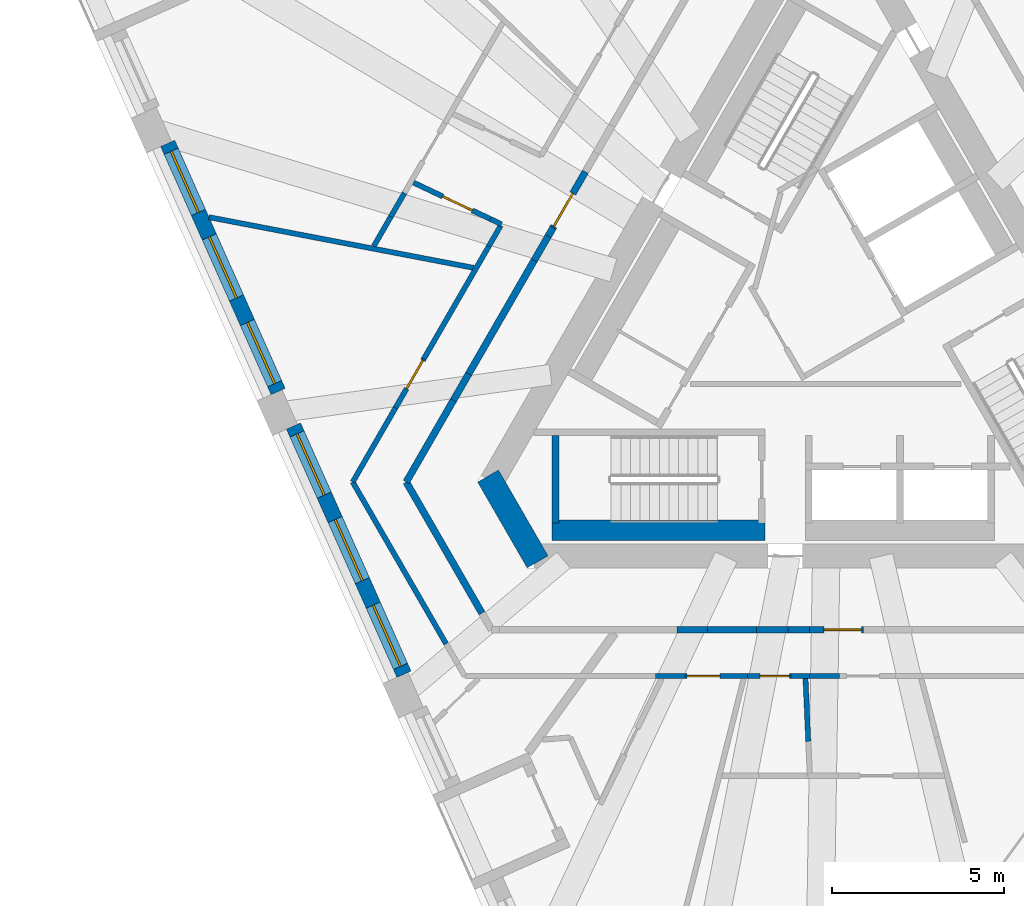
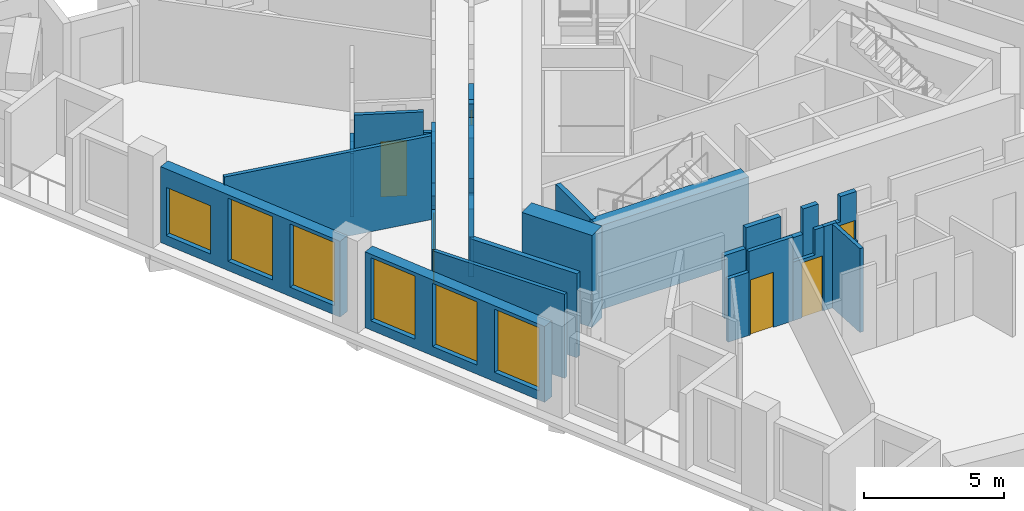
# One storey, part 3 of 11: 33 walls, 6 doors, 6 windows, 12 openings.
"""IFC4 building model written with IfcOpenShell, lengths in metres."""

from ifc_helpers import new_model, si_unit, direction, frame, frame_2d, origin, place, context, subcontext, project, spatial, polyline, rectangle, outline, extrude, material, layer, layer_set, type_object, element, fill, save


model = new_model("IFC4")

# Units and contexts
model_context = context("Model", 3, precision=1e-05, world=origin(), true_north=direction((0.0, 1.0)))
body_context = subcontext(model_context, "Body", "Model", "MODEL_VIEW")
ifc_project = project(units=[si_unit("LENGTHUNIT", "METRE"), si_unit("AREAUNIT", "SQUARE_METRE"), si_unit("VOLUMEUNIT", "CUBIC_METRE"), si_unit("PLANEANGLEUNIT", "RADIAN"), si_unit("MASSUNIT", "GRAM", prefix="KILO")], contexts=[model_context])

# Site, building, storey
site_placement = place(None, origin())
site = spatial("IfcSite", under=ifc_project, at=site_placement, CompositionType="ELEMENT")
building_placement = place(site_placement, origin())
building = spatial("IfcBuilding", under=site, at=building_placement, Name="Tramontana Tower", CompositionType="ELEMENT")
storey_placement = place(building_placement, frame((0.0, 0.0, 257.199951171875)))
storey = spatial("IfcBuildingStorey", under=building, at=storey_placement, Name="L60", CompositionType="ELEMENT", Elevation=257.199951171875)

# Wall
ifc_material_1 = material(Name="Concrete 70 MPa", Category="concrete")
ifc_layer_1 = layer(ifc_material_1, 0.699951171875)
ifc_layer_set_1 = layer_set([ifc_layer_1], Name="Core wall 700 70 MPa")
wall_type_1 = type_object("IfcWallType", Name="Core wall 700 70 MPa", PredefinedType="SHEAR", material=ifc_layer_set_1)
wall_1_placement = place(storey_placement, frame((-9.94482421875, -4.074951171875, 0.0), z_axis=(0.0, 0.0, 1.0), x_axis=(0.499995765644, -0.866027848477, 0.0)))
element("IfcWall", 1, at=wall_1_placement, inside=storey, type_object=wall_type_1, Name="Core wall C2 L60", PredefinedType="SHEAR", context=body_context, shape_type="SweptSolid", body=[
    extrude(rectangle(XDim=2.88671875, YDim=0.699951171875, at=frame_2d((1.443359375, 0.0))), origin(), (0.0, 0.0, 1.0), 4.0),
])

# Wall, opening, door
ifc_material_2 = material(Name="Blockwork", Category="masonry")
ifc_layer_2 = layer(ifc_material_2, 0.199951171875)
ifc_layer_set_2 = layer_set([ifc_layer_2], Name="ENTRY WALL 200")
wall_type_2 = type_object("IfcWallType", Name="ENTRY WALL 200", PredefinedType="SOLIDWALL", material=ifc_layer_set_2)
wall_2_placement = place(storey_placement, frame((0.98046875, -8.550048828125, 0.0), z_axis=(0.0, 0.0, 1.0), x_axis=(-1.0, 0.0, 0.0)))
wall_2 = element("IfcWall", 2, at=wall_2_placement, inside=storey, type_object=wall_type_2, Name="Wall v61-ew1-5", PredefinedType="SOLIDWALL", context=body_context, shape_type="SweptSolid", body=[
    extrude(outline(polyline([(0.0, 0.0), (1.565673828125, 0.0), (1.56591796875, 2.550048828125), (0.665771484375, 2.550048828125), (0.665771484375, 3.650146484375), (0.0, 3.650146484375), (0.0, 0.0)])), frame((0.0, 0.10009765625, 0.0), z_axis=(0.0, -1.0, 0.0), x_axis=(1.0, 0.0, 0.0)), (0.0, 0.0, 1.0), 0.199951171875),
])
opening_1_placement = place(wall_2_placement, frame((0.050048828125, 0.0, 0.0)))
opening_1 = element("IfcOpeningElement", 3, at=opening_1_placement, cuts=wall_2, Name="Opening B6B-22", PredefinedType="OPENING", context=body_context, shape_type="SweptSolid", body=[
    extrude(rectangle(XDim=1.10009765625, YDim=2.39990234375, at=frame_2d((0.550048828125, 1.199951171875))), frame((0.0, 0.10986328125, 0.0), z_axis=(0.0, -1.0, 0.0), x_axis=(1.0, 0.0, 0.0)), (0.0, 0.0, 1.0), 0.219970703125),
])
ifc_material_3 = material(Name="Painted timber", Category="wood")
door_type_1 = type_object("IfcDoorType", Name="DOOR ENTRY 1100", OperationType="SINGLE_SWING_LEFT", PredefinedType="DOOR", material=ifc_material_3)
door_1_placement = place(opening_1_placement, origin())
door_1 = element("IfcDoor", 4, at=door_1_placement, inside=storey, type_object=door_type_1, Name="Door B6B-22", OperationType="SINGLE_SWING_RIGHT", OverallHeight=2.39990234375, OverallWidth=1.10009765625, PredefinedType="DOOR", context=body_context, shape_type="SweptSolid", body=[
    extrude(rectangle(XDim=1.10009765625, YDim=2.39990234375, at=frame_2d((0.550048828125, 1.199951171875))), frame((0.0, 0.02490234375, 0.0), z_axis=(0.0, -1.0, 0.0), x_axis=(1.0, 0.0, 0.0)), (0.0, 0.0, 1.0), 0.050048828125),
])
fill(opening_1, door_1)

# Walls
wall_3_placement = place(storey_placement, frame((-0.585205078125, -8.550048828125, 0.0), z_axis=(0.0, 0.0, 1.0), x_axis=(-1.0, 0.0, 0.0)))
element("IfcWall", 5, at=wall_3_placement, inside=storey, type_object=wall_type_2, Name="Wall v61-ew1-6", PredefinedType="SOLIDWALL", context=body_context, shape_type="SweptSolid", body=[
    extrude(rectangle(XDim=0.6328125, YDim=0.199951171875, at=frame_2d((0.31640625, 0.0))), origin(), (0.0, 0.0, 1.0), 3.650146484375),
])
wall_4_placement = place(storey_placement, frame((-1.218017578125, -8.550048828125, 0.0), z_axis=(0.0, 0.0, 1.0), x_axis=(-1.0, 0.0, 0.0)))
element("IfcWall", 6, at=wall_4_placement, inside=storey, type_object=wall_type_2, Name="Wall v61-ew1-7", PredefinedType="SOLIDWALL", context=body_context, shape_type="SweptSolid", body=[
    extrude(rectangle(XDim=0.9169921875, YDim=0.199951171875, at=frame_2d((0.45849609375, 0.0))), origin(), (0.0, 0.0, 1.0), 2.550048828125),
])
wall_5_placement = place(storey_placement, frame((-2.135009765625, -8.550048828125, 0.0), z_axis=(0.0, 0.0, 1.0), x_axis=(-1.0, 0.0, 0.0)))
element("IfcWall", 7, at=wall_5_placement, inside=storey, type_object=wall_type_2, Name="Wall v61-ew1-8", PredefinedType="SOLIDWALL", context=body_context, shape_type="SweptSolid", body=[
    extrude(rectangle(XDim=1.4296875, YDim=0.199951171875, at=frame_2d((0.71484375, 0.0))), origin(), (0.0, 0.0, 1.0), 3.650146484375),
])
wall_6_placement = place(storey_placement, frame((-3.564697265625, -8.550048828125, 0.0), z_axis=(0.0, 0.0, 1.0), x_axis=(-1.0, 0.0, 0.0)))
element("IfcWall", 8, at=wall_6_placement, inside=storey, type_object=wall_type_2, Name="Wall v61-ew1-9", PredefinedType="SOLIDWALL", context=body_context, shape_type="SweptSolid", body=[
    extrude(rectangle(XDim=0.88330078125, YDim=0.199951171875, at=frame_2d((0.441650390625, 0.0))), origin(), (0.0, 0.0, 1.0), 2.75),
])
wall_7_placement = place(storey_placement, frame((-10.12255859375, -8.067138671875, 0.0), z_axis=(0.0, 0.0, 1.0), x_axis=(-0.500005339912, 0.866022320763, 0.0)))
element("IfcWall", 9, at=wall_7_placement, inside=storey, type_object=wall_type_2, Name="Wall v61-ew2-1", PredefinedType="SOLIDWALL", context=body_context, shape_type="SweptSolid", body=[
    extrude(rectangle(XDim=4.40771484375, YDim=0.199951171875, at=frame_2d((2.203857421875, 0.0))), origin(), (0.0, 0.0, 1.0), 3.650146484375),
])
wall_8_placement = place(storey_placement, frame((-12.326416015625, -4.25, 0.0), z_axis=(0.0, 0.0, 1.0), x_axis=(0.499994514761, 0.866028570666, 0.0)))
element("IfcWall", 10, at=wall_8_placement, inside=storey, type_object=wall_type_2, Name="Wall v61-ew3-0", PredefinedType="SOLIDWALL", context=body_context, shape_type="SweptSolid", body=[
    extrude(rectangle(XDim=2.74462890625, YDim=0.199951171875, at=frame_2d((1.372314453125, 0.0))), origin(), (0.0, 0.0, 1.0), 3.650146484375),
])
wall_9_placement = place(storey_placement, frame((-10.9541015625, -1.873046875, 0.0), z_axis=(0.0, 0.0, 1.0), x_axis=(0.500016243463, 0.866016025414, 0.0)))
element("IfcWall", 11, at=wall_9_placement, inside=storey, type_object=wall_type_2, Name="Wall v61-ew3-1", PredefinedType="SOLIDWALL", context=body_context, shape_type="SweptSolid", body=[
    extrude(rectangle(XDim=0.88720703125, YDim=0.199951171875, at=frame_2d((0.443603515625, 0.0))), origin(), (0.0, 0.0, 1.0), 2.949951171875),
])
wall_10_placement = place(storey_placement, frame((-10.510498046875, -1.104736328125, 0.0), z_axis=(0.0, 0.0, 1.0), x_axis=(0.499997905474, 0.866026613056, 0.0)))
element("IfcWall", 12, at=wall_10_placement, inside=storey, type_object=wall_type_2, Name="Wall v61-ew3-2", PredefinedType="SOLIDWALL", context=body_context, shape_type="SweptSolid", body=[
    extrude(rectangle(XDim=3.810546875, YDim=0.199951171875, at=frame_2d((1.9052734375, 0.0))), origin(), (0.0, 0.0, 1.0), 3.650146484375),
])
wall_11_placement = place(storey_placement, frame((-8.605224609375, 2.1953125, 0.0), z_axis=(0.0, 0.0, 1.0), x_axis=(0.499911126926, 0.866076708598, 0.0)))
element("IfcWall", 13, at=wall_11_placement, inside=storey, type_object=wall_type_2, Name="Wall v61-ew3-3", PredefinedType="SOLIDWALL", context=body_context, shape_type="SweptSolid", body=[
    extrude(rectangle(XDim=0.821533203125, YDim=0.199951171875, at=frame_2d((0.41064453125, 0.0))), origin(), (0.0, 0.0, 1.0), 2.75),
])
wall_12_placement = place(storey_placement, frame((-8.194580078125, 2.90673828125, 0.0), z_axis=(0.0, 0.0, 1.0), x_axis=(0.500220121494, 0.865898279276, 0.0)))
element("IfcWall", 14, at=wall_12_placement, inside=storey, type_object=wall_type_2, Name="Wall v61-ew3-4", PredefinedType="SOLIDWALL", context=body_context, shape_type="SweptSolid", body=[
    extrude(rectangle(XDim=0.282958984375, YDim=0.199951171875, at=frame_2d((0.1416015625, 0.0))), origin(), (0.0, 0.0, 1.0), 3.650146484375),
])

# Wall, opening, door
wall_13_placement = place(storey_placement, frame((-8.052978515625, 3.15185546875, 0.0), z_axis=(0.0, 0.0, 1.0), x_axis=(0.500059305753, 0.865991160884, 0.0)))
wall_13 = element("IfcWall", 15, at=wall_13_placement, inside=storey, type_object=wall_type_2, Name="Wall v61-ew3-5", PredefinedType="SOLIDWALL", context=body_context, shape_type="SweptSolid", body=[
    extrude(outline(polyline([(0.0, 0.0), (1.882080078125, 0.0), (1.882080078125, 2.550048828125), (0.982177734375, 2.550048828125), (0.982177734375, 3.650146484375), (0.0, 3.650146484375), (0.0, 0.0)])), frame((0.0, 0.10009765625, 0.0), z_axis=(0.0, -1.0, 0.0), x_axis=(1.0, 0.0, 0.0)), (0.0, 0.0, 1.0), 0.199951171875),
])
opening_2_placement = place(wall_13_placement, frame((0.050048828125, 0.0, 0.0)))
opening_2 = element("IfcOpeningElement", 16, at=opening_2_placement, cuts=wall_13, Name="Opening B6B-21", PredefinedType="OPENING", context=body_context, shape_type="SweptSolid", body=[
    extrude(rectangle(XDim=1.10009765625, YDim=2.39990234375, at=frame_2d((0.550048828125, 1.199951171875))), frame((0.0, 0.10986328125, 0.0), z_axis=(0.0, -1.0, 0.0), x_axis=(1.0, 0.0, 0.0)), (0.0, 0.0, 1.0), 0.219970703125),
])
door_2_placement = place(opening_2_placement, origin())
door_2 = element("IfcDoor", 17, at=door_2_placement, inside=storey, type_object=door_type_1, Name="Door B6B-21", OperationType="SINGLE_SWING_LEFT", OverallHeight=2.39990234375, OverallWidth=1.10009765625, PredefinedType="DOOR", context=body_context, shape_type="SweptSolid", body=[
    extrude(rectangle(XDim=1.10009765625, YDim=2.39990234375, at=frame_2d((0.550048828125, 1.199951171875))), frame((0.0, 0.02490234375, 0.0), z_axis=(0.0, -1.0, 0.0), x_axis=(1.0, 0.0, 0.0)), (0.0, 0.0, 1.0), 0.050048828125),
])
fill(opening_2, door_2)

# Wall, openings, windows
ifc_material_4 = material(Name="Precast concrete 60 MPa", Category="concrete")
ifc_layer_3 = layer(ifc_material_4, 0.449951171875)
ifc_layer_set_3 = layer_set([ifc_layer_3], Name="Precast concrete 60 MPa, 450 mm")
wall_type_3 = type_object("IfcWallType", Name="EW1 Stone-faced precast wall 450", PredefinedType="SOLIDWALL", material=ifc_layer_set_3)
wall_14_placement = place(storey_placement, frame((-19.271484375, 5.606201171875, 0.0), z_axis=(0.0, 0.0, 1.0), x_axis=(0.406760076741, -0.913535023942, 0.0)))
wall_14 = element("IfcWall", 18, at=wall_14_placement, inside=storey, type_object=wall_type_3, Name="External wall L60 face 0 bay 2", PredefinedType="SOLIDWALL", context=body_context, shape_type="SweptSolid", body=[
    extrude(rectangle(XDim=7.906494140625, YDim=0.449951171875, at=frame_2d((3.953125, 0.0))), origin(), (0.0, 0.0, 1.0), 3.300048828125),
])
opening_3_placement = place(wall_14_placement, frame((0.251220703125, 0.0, 0.39990234375)))
opening_3 = element("IfcOpeningElement", 19, at=opening_3_placement, cuts=wall_14, Name="Opening M3L", PredefinedType="OPENING", context=body_context, shape_type="SweptSolid", body=[
    extrude(rectangle(XDim=1.949951171875, YDim=2.10009765625, at=frame_2d((0.97509765625, 1.050048828125))), frame((0.0, 0.23486328125, 0.0), z_axis=(0.0, -1.0, 0.0), x_axis=(1.0, 0.0, 0.0)), (0.0, 0.0, 1.0), 0.469970703125),
])
opening_4_placement = place(wall_14_placement, frame((2.978271484375, 0.0, 0.39990234375)))
opening_4 = element("IfcOpeningElement", 20, at=opening_4_placement, cuts=wall_14, Name="Opening M3", PredefinedType="OPENING", context=body_context, shape_type="SweptSolid", body=[
    extrude(rectangle(XDim=1.949951171875, YDim=2.75, at=frame_2d((0.97509765625, 1.375))), frame((0.0, 0.23486328125, 0.0), z_axis=(0.0, -1.0, 0.0), x_axis=(1.0, 0.0, 0.0)), (0.0, 0.0, 1.0), 0.469970703125),
])
opening_5_placement = place(wall_14_placement, frame((5.70556640625, 0.0, 0.39990234375)))
opening_5 = element("IfcOpeningElement", 21, at=opening_5_placement, cuts=wall_14, Name="Opening M3", PredefinedType="OPENING", context=body_context, shape_type="SweptSolid", body=[
    extrude(rectangle(XDim=1.949951171875, YDim=2.75, at=frame_2d((0.97509765625, 1.375))), frame((0.0, 0.23486328125, 0.0), z_axis=(0.0, -1.0, 0.0), x_axis=(1.0, 0.0, 0.0)), (0.0, 0.0, 1.0), 0.469970703125),
])
ifc_material_5 = material(Name="Aluminum frame, double glazing unit", Category="aluminium")
window_type_1 = type_object("IfcWindowType", Name="M3 Window 1.95 x 2.75", PartitioningType="SINGLE_PANEL", PredefinedType="WINDOW", material=ifc_material_5)
window_1_placement = place(opening_4_placement, origin())
window_1 = element("IfcWindow", 22, at=window_1_placement, inside=storey, type_object=window_type_1, Name="Window M3 L60 face 0 module 5", OverallHeight=2.75, OverallWidth=1.949951171875, PartitioningType="SINGLE_PANEL", PredefinedType="WINDOW", context=body_context, shape_type="SweptSolid", body=[
    extrude(rectangle(XDim=1.949951171875, YDim=2.75, at=frame_2d((0.97509765625, 1.375))), frame((0.0, 0.030029296875, 0.0), z_axis=(0.0, -1.0, 0.0), x_axis=(1.0, 0.0, 0.0)), (0.0, 0.0, 1.0), 0.06005859375),
])
fill(opening_4, window_1)
window_2_placement = place(opening_5_placement, origin())
window_2 = element("IfcWindow", 23, at=window_2_placement, inside=storey, type_object=window_type_1, Name="Window M3 L60 face 0 module 6", OverallHeight=2.75, OverallWidth=1.949951171875, PartitioningType="SINGLE_PANEL", PredefinedType="WINDOW", context=body_context, shape_type="SweptSolid", body=[
    extrude(rectangle(XDim=1.949951171875, YDim=2.75, at=frame_2d((0.97509765625, 1.375))), frame((0.0, 0.030029296875, 0.0), z_axis=(0.0, -1.0, 0.0), x_axis=(1.0, 0.0, 0.0)), (0.0, 0.0, 1.0), 0.06005859375),
])
fill(opening_5, window_2)
ifc_material_6 = material(Name="Aluminum frame, double glazing unit", Category="aluminium")
window_type_2 = type_object("IfcWindowType", Name="M3L Window 1.95 x 2.1", PartitioningType="SINGLE_PANEL", PredefinedType="WINDOW", material=ifc_material_6)
window_3_placement = place(opening_3_placement, origin())
window_3 = element("IfcWindow", 24, at=window_3_placement, inside=storey, type_object=window_type_2, Name="Window M3L L60 face 0 module 4", OverallHeight=2.10009765625, OverallWidth=1.949951171875, PartitioningType="SINGLE_PANEL", PredefinedType="WINDOW", context=body_context, shape_type="SweptSolid", body=[
    extrude(rectangle(XDim=1.949951171875, YDim=2.10009765625, at=frame_2d((0.97509765625, 1.050048828125))), frame((0.0, 0.030029296875, 0.0), z_axis=(0.0, -1.0, 0.0), x_axis=(1.0, 0.0, 0.0)), (0.0, 0.0, 1.0), 0.06005859375),
])
fill(opening_3, window_3)

wall_15_placement = place(storey_placement, frame((-15.608154296875, -2.62158203125, 0.0), z_axis=(0.0, 0.0, 1.0), x_axis=(0.406748602972, -0.91354013266, 0.0)))
wall_15 = element("IfcWall", 25, at=wall_15_placement, inside=storey, type_object=wall_type_3, Name="External wall L60 face 0 bay 3", PredefinedType="SOLIDWALL", context=body_context, shape_type="SweptSolid", body=[
    extrude(rectangle(XDim=7.90673828125, YDim=0.449951171875, at=frame_2d((3.953369140625, 0.0))), origin(), (0.0, 0.0, 1.0), 3.300048828125),
])
opening_6_placement = place(wall_15_placement, frame((0.251220703125, 0.0, 0.39990234375)))
opening_6 = element("IfcOpeningElement", 26, at=opening_6_placement, cuts=wall_15, Name="Opening M3", PredefinedType="OPENING", context=body_context, shape_type="SweptSolid", body=[
    extrude(rectangle(XDim=1.949951171875, YDim=2.75, at=frame_2d((0.97509765625, 1.375))), frame((0.0, 0.23486328125, 0.0), z_axis=(0.0, -1.0, 0.0), x_axis=(1.0, 0.0, 0.0)), (0.0, 0.0, 1.0), 0.469970703125),
])
opening_7_placement = place(wall_15_placement, frame((2.978271484375, 0.0, 0.39990234375)))
opening_7 = element("IfcOpeningElement", 27, at=opening_7_placement, cuts=wall_15, Name="Opening M3", PredefinedType="OPENING", context=body_context, shape_type="SweptSolid", body=[
    extrude(rectangle(XDim=1.949951171875, YDim=2.75, at=frame_2d((0.97509765625, 1.375))), frame((0.0, 0.23486328125, 0.0), z_axis=(0.0, -1.0, 0.0), x_axis=(1.0, 0.0, 0.0)), (0.0, 0.0, 1.0), 0.469970703125),
])
opening_8_placement = place(wall_15_placement, frame((5.70556640625, 0.0, 0.39990234375)))
opening_8 = element("IfcOpeningElement", 28, at=opening_8_placement, cuts=wall_15, Name="Opening M3", PredefinedType="OPENING", context=body_context, shape_type="SweptSolid", body=[
    extrude(rectangle(XDim=1.949951171875, YDim=2.75, at=frame_2d((0.97509765625, 1.375))), frame((0.0, 0.23486328125, 0.0), z_axis=(0.0, -1.0, 0.0), x_axis=(1.0, 0.0, 0.0)), (0.0, 0.0, 1.0), 0.469970703125),
])
window_4_placement = place(opening_6_placement, origin())
window_4 = element("IfcWindow", 29, at=window_4_placement, inside=storey, type_object=window_type_1, Name="Window M3 L60 face 0 module 7", OverallHeight=2.75, OverallWidth=1.949951171875, PartitioningType="SINGLE_PANEL", PredefinedType="WINDOW", context=body_context, shape_type="SweptSolid", body=[
    extrude(rectangle(XDim=1.949951171875, YDim=2.75, at=frame_2d((0.97509765625, 1.375))), frame((0.0, 0.030029296875, 0.0), z_axis=(0.0, -1.0, 0.0), x_axis=(1.0, 0.0, 0.0)), (0.0, 0.0, 1.0), 0.06005859375),
])
fill(opening_6, window_4)
window_5_placement = place(opening_7_placement, origin())
window_5 = element("IfcWindow", 30, at=window_5_placement, inside=storey, type_object=window_type_1, Name="Window M3 L60 face 0 module 8", OverallHeight=2.75, OverallWidth=1.949951171875, PartitioningType="SINGLE_PANEL", PredefinedType="WINDOW", context=body_context, shape_type="SweptSolid", body=[
    extrude(rectangle(XDim=1.949951171875, YDim=2.75, at=frame_2d((0.97509765625, 1.375))), frame((0.0, 0.030029296875, 0.0), z_axis=(0.0, -1.0, 0.0), x_axis=(1.0, 0.0, 0.0)), (0.0, 0.0, 1.0), 0.06005859375),
])
fill(opening_7, window_5)
window_6_placement = place(opening_8_placement, origin())
window_6 = element("IfcWindow", 31, at=window_6_placement, inside=storey, type_object=window_type_1, Name="Window M3 L60 face 0 module 9", OverallHeight=2.75, OverallWidth=1.949951171875, PartitioningType="SINGLE_PANEL", PredefinedType="WINDOW", context=body_context, shape_type="SweptSolid", body=[
    extrude(rectangle(XDim=1.949951171875, YDim=2.75, at=frame_2d((0.97509765625, 1.375))), frame((0.0, 0.030029296875, 0.0), z_axis=(0.0, -1.0, 0.0), x_axis=(1.0, 0.0, 0.0)), (0.0, 0.0, 1.0), 0.06005859375),
])
fill(opening_8, window_6)

# Wall
ifc_material_7 = material(Name="Gypsum board partition")
ifc_layer_4 = layer(ifc_material_7, 0.14990234375)
ifc_layer_set_4 = layer_set([ifc_layer_4], Name="PARTITION 150")
wall_type_4 = type_object("IfcWallType", Name="PARTITION 150", PredefinedType="PARTITIONING", material=ifc_layer_set_4)
wall_16_placement = place(storey_placement, frame((-13.88525390625, -4.25, 0.0), z_axis=(0.0, 0.0, 1.0), x_axis=(0.499999788377, 0.866025525965, 0.0)))
element("IfcWall", 32, at=wall_16_placement, inside=storey, type_object=wall_type_4, Name="Wall v61-pw01-0", PredefinedType="PARTITIONING", context=body_context, shape_type="SweptSolid", body=[
    extrude(rectangle(XDim=2.4892578125, YDim=0.14990234375, at=frame_2d((1.24462890625, 0.0))), origin(), (0.0, 0.0, 1.0), 3.650146484375),
])

# Wall, opening, door
wall_17_placement = place(storey_placement, frame((-12.640625, -2.09423828125, 0.0), z_axis=(0.0, 0.0, 1.0), x_axis=(0.500025879676, 0.866010461631, 0.0)))
wall_17 = element("IfcWall", 33, at=wall_17_placement, inside=storey, type_object=wall_type_4, Name="Wall v61-pw01-1", PredefinedType="PARTITIONING", context=body_context, shape_type="SweptSolid", body=[
    extrude(outline(polyline([(0.0, 0.0), (1.6484375, 0.0), (1.6484375, 3.650146484375), (0.85546875, 3.650146484375), (0.85546875, 2.949951171875), (0.0, 2.949951171875), (0.0, 0.0)])), frame((0.0, 0.074951171875, 0.0), z_axis=(0.0, -1.0, 0.0), x_axis=(1.0, 0.0, 0.0)), (0.0, 0.0, 1.0), 0.14990234375),
])
opening_9_placement = place(wall_17_placement, frame((0.6484375, 0.0, 0.0)))
opening_9 = element("IfcOpeningElement", 34, at=opening_9_placement, cuts=wall_17, Name="Opening B6B-06", PredefinedType="OPENING", context=body_context, shape_type="SweptSolid", body=[
    extrude(rectangle(XDim=0.949951171875, YDim=2.39990234375, at=frame_2d((0.47509765625, 1.199951171875))), frame((0.0, 0.0849609375, 0.0), z_axis=(0.0, -1.0, 0.0), x_axis=(1.0, 0.0, 0.0)), (0.0, 0.0, 1.0), 0.169921875),
])
ifc_material_8 = material(Name="Painted timber", Category="wood")
door_type_2 = type_object("IfcDoorType", Name="DOOR ROOM 950", OperationType="SINGLE_SWING_LEFT", PredefinedType="DOOR", material=ifc_material_8)
door_3_placement = place(opening_9_placement, origin())
door_3 = element("IfcDoor", 35, at=door_3_placement, inside=storey, type_object=door_type_2, Name="Door B6B-06", OperationType="SINGLE_SWING_RIGHT", OverallHeight=2.39990234375, OverallWidth=0.949951171875, PredefinedType="DOOR", context=body_context, shape_type="SweptSolid", body=[
    extrude(rectangle(XDim=0.949951171875, YDim=2.39990234375, at=frame_2d((0.47509765625, 1.199951171875))), frame((0.0, 0.02490234375, 0.0), z_axis=(0.0, -1.0, 0.0), x_axis=(1.0, 0.0, 0.0)), (0.0, 0.0, 1.0), 0.050048828125),
])
fill(opening_9, door_3)

# Walls
wall_18_placement = place(storey_placement, frame((-11.81640625, -0.666748046875, 0.0), z_axis=(0.0, 0.0, 1.0), x_axis=(0.500005522576, 0.8660222153, 0.0)))
element("IfcWall", 36, at=wall_18_placement, inside=storey, type_object=wall_type_4, Name="Wall v61-pw01-2", PredefinedType="PARTITIONING", context=body_context, shape_type="SweptSolid", body=[
    extrude(rectangle(XDim=3.78271484375, YDim=0.14990234375, at=frame_2d((1.891357421875, 0.0))), origin(), (0.0, 0.0, 1.0), 3.650146484375),
])
wall_19_placement = place(storey_placement, frame((-9.925048828125, 2.609130859375, 0.0), z_axis=(0.0, 0.0, 1.0), x_axis=(0.499953188488, 0.866052428737, 0.0)))
element("IfcWall", 37, at=wall_19_placement, inside=storey, type_object=wall_type_4, Name="Wall v61-pw01-3", PredefinedType="PARTITIONING", context=body_context, shape_type="SweptSolid", body=[
    extrude(rectangle(XDim=0.7021484375, YDim=0.14990234375, at=frame_2d((0.35107421875, 0.0))), origin(), (0.0, 0.0, 1.0), 2.75),
])
wall_20_placement = place(storey_placement, frame((-13.27001953125, 2.61572265625, 0.0), z_axis=(0.0, 0.0, 1.0), x_axis=(0.49997816789, 0.866038008192, 0.0)))
element("IfcWall", 38, at=wall_20_placement, inside=storey, type_object=wall_type_4, Name="Wall v61-pw02-0", PredefinedType="PARTITIONING", context=body_context, shape_type="SweptSolid", body=[
    extrude(rectangle(XDim=0.99169921875, YDim=0.14990234375, at=frame_2d((0.495849609375, 0.0))), origin(), (0.0, 0.0, 1.0), 3.650146484375),
])
wall_21_placement = place(storey_placement, frame((-12.774169921875, 3.474609375, 0.0), z_axis=(0.0, 0.0, 1.0), x_axis=(0.500165123728, 0.865930048564, 0.0)))
element("IfcWall", 39, at=wall_21_placement, inside=storey, type_object=wall_type_4, Name="Wall v61-pw02-1", PredefinedType="PARTITIONING", context=body_context, shape_type="SweptSolid", body=[
    extrude(rectangle(XDim=0.795654296875, YDim=0.14990234375, at=frame_2d((0.39794921875, 0.0))), origin(), (0.0, 0.0, 1.0), 2.75),
])
wall_22_placement = place(storey_placement, frame((-11.1650390625, -8.96142578125, 0.0), z_axis=(0.0, 0.0, 1.0), x_axis=(-0.500009912158, 0.866019680922, 0.0)))
element("IfcWall", 40, at=wall_22_placement, inside=storey, type_object=wall_type_4, Name="Wall v61-pw05-2", PredefinedType="PARTITIONING", context=body_context, shape_type="SweptSolid", body=[
    extrude(rectangle(XDim=5.4404296875, YDim=0.14990234375, at=frame_2d((2.72021484375, 0.0))), origin(), (0.0, 0.0, 1.0), 3.650146484375),
])
wall_23_placement = place(storey_placement, frame((-10.3720703125, 1.98486328125, 0.0), z_axis=(0.0, 0.0, 1.0), x_axis=(-0.982181141847, 0.187936703706, 0.0)))
element("IfcWall", 41, at=wall_23_placement, inside=storey, type_object=wall_type_4, Name="Wall v61-pw06", PredefinedType="PARTITIONING", context=body_context, shape_type="SweptSolid", body=[
    extrude(rectangle(XDim=7.8359375, YDim=0.14990234375, at=frame_2d((3.91796875, 0.0))), origin(), (0.0, 0.0, 1.0), 3.650146484375),
])
wall_24_placement = place(storey_placement, frame((-9.553955078125, 3.251953125, 0.0), z_axis=(0.0, 0.0, 1.0), x_axis=(-0.903821601286, 0.427909468287, 0.0)))
element("IfcWall", 42, at=wall_24_placement, inside=storey, type_object=wall_type_4, Name="Wall v61-pw07-0", PredefinedType="PARTITIONING", context=body_context, shape_type="SweptSolid", body=[
    extrude(rectangle(XDim=0.35595703125, YDim=0.14990234375, at=frame_2d((0.177978515625, 0.0))), origin(), (0.0, 0.0, 1.0), 2.75),
])

# Wall, opening, door
wall_25_placement = place(storey_placement, frame((-9.875732421875, 3.404296875, 0.0), z_axis=(0.0, 0.0, 1.0), x_axis=(-0.903816051191, 0.427921190886, 0.0)))
wall_25 = element("IfcWall", 43, at=wall_25_placement, inside=storey, type_object=wall_type_4, Name="Wall v61-pw07-1", PredefinedType="PARTITIONING", context=body_context, shape_type="SweptSolid", body=[
    extrude(rectangle(XDim=2.478271484375, YDim=0.14990234375, at=frame_2d((1.2392578125, 0.0))), origin(), (0.0, 0.0, 1.0), 3.650146484375),
])
opening_10_placement = place(wall_25_placement, frame((0.586181640625, 0.0, 0.0)))
opening_10 = element("IfcOpeningElement", 44, at=opening_10_placement, cuts=wall_25, Name="Opening B6B-01", PredefinedType="OPENING", context=body_context, shape_type="SweptSolid", body=[
    extrude(rectangle(XDim=0.949951171875, YDim=2.39990234375, at=frame_2d((0.47509765625, 1.199951171875))), frame((0.0, 0.0849609375, 0.0), z_axis=(0.0, -1.0, 0.0), x_axis=(1.0, 0.0, 0.0)), (0.0, 0.0, 1.0), 0.169921875),
])
door_4_placement = place(opening_10_placement, origin())
door_4 = element("IfcDoor", 45, at=door_4_placement, inside=storey, type_object=door_type_2, Name="Door B6B-01", OperationType="SINGLE_SWING_LEFT", OverallHeight=2.39990234375, OverallWidth=0.949951171875, PredefinedType="DOOR", context=body_context, shape_type="SweptSolid", body=[
    extrude(rectangle(XDim=0.949951171875, YDim=2.39990234375, at=frame_2d((0.47509765625, 1.199951171875))), frame((0.0, 0.02490234375, 0.0), z_axis=(0.0, -1.0, 0.0), x_axis=(1.0, 0.0, 0.0)), (0.0, 0.0, 1.0), 0.050048828125),
])
fill(opening_10, door_4)

# Walls
wall_26_placement = place(storey_placement, frame((-0.6240234375, -11.79638671875, 0.0), z_axis=(0.0, 0.0, 1.0), x_axis=(-0.04442060274, 0.999012917861, 0.0)))
element("IfcWall", 46, at=wall_26_placement, inside=storey, type_object=wall_type_4, Name="Wall v61-pw17-1", PredefinedType="PARTITIONING", context=body_context, shape_type="SweptSolid", body=[
    extrude(rectangle(XDim=1.896240234375, YDim=0.14990234375, at=frame_2d((0.9482421875, 0.0))), origin(), (0.0, 0.0, 1.0), 3.650146484375),
])
wall_27_placement = place(storey_placement, frame((0.281005859375, -9.89990234375, 0.0), z_axis=(0.0, 0.0, 1.0), x_axis=(-1.0, 0.0, 0.0)))
element("IfcWall", 47, at=wall_27_placement, inside=storey, type_object=wall_type_4, Name="Wall v61-pw28-5", PredefinedType="PARTITIONING", context=body_context, shape_type="SweptSolid", body=[
    extrude(rectangle(XDim=0.875, YDim=0.14990234375, at=frame_2d((0.4375, 0.0))), origin(), (0.0, 0.0, 1.0), 2.550048828125),
])
wall_28_placement = place(storey_placement, frame((-0.593994140625, -9.89990234375, 0.0), z_axis=(0.0, 0.0, 1.0), x_axis=(-1.0, 0.0, 0.0)))
element("IfcWall", 48, at=wall_28_placement, inside=storey, type_object=wall_type_4, Name="Wall v61-pw28-6", PredefinedType="PARTITIONING", context=body_context, shape_type="SweptSolid", body=[
    extrude(rectangle(XDim=0.5302734375, YDim=0.14990234375, at=frame_2d((0.26513671875, 0.0))), origin(), (0.0, 0.0, 1.0), 3.650146484375),
])

# Wall, opening, door
wall_29_placement = place(storey_placement, frame((-1.124267578125, -9.89990234375, 0.0), z_axis=(0.0, 0.0, 1.0), x_axis=(-1.0, 0.0, 0.0)))
wall_29 = element("IfcWall", 49, at=wall_29_placement, inside=storey, type_object=wall_type_4, Name="Wall v61-pw28-7", PredefinedType="PARTITIONING", context=body_context, shape_type="SweptSolid", body=[
    extrude(outline(polyline([(0.0, 0.0), (1.262939453125, 0.0), (1.262939453125, 2.550048828125), (0.371337890625, 2.550048828125), (0.371337890625, 3.650146484375), (0.0, 3.650146484375), (0.0, 0.0)])), frame((0.0, 0.074951171875, 0.0), z_axis=(0.0, -1.0, 0.0), x_axis=(1.0, 0.0, 0.0)), (0.0, 0.0, 1.0), 0.14990234375),
])
opening_11_placement = place(wall_29_placement, frame((0.050048828125, 0.0, 0.0)))
opening_11 = element("IfcOpeningElement", 50, at=opening_11_placement, cuts=wall_29, Name="Opening B6B-09", PredefinedType="OPENING", context=body_context, shape_type="SweptSolid", body=[
    extrude(rectangle(XDim=0.85009765625, YDim=2.39990234375, at=frame_2d((0.425048828125, 1.199951171875))), frame((0.0, 0.0849609375, 0.0), z_axis=(0.0, -1.0, 0.0), x_axis=(1.0, 0.0, 0.0)), (0.0, 0.0, 1.0), 0.169921875),
])
ifc_material_9 = material(Name="Painted timber", Category="wood")
door_type_3 = type_object("IfcDoorType", Name="DOOR BATH 850", OperationType="SINGLE_SWING_LEFT", PredefinedType="DOOR", material=ifc_material_9)
door_5_placement = place(opening_11_placement, origin())
door_5 = element("IfcDoor", 51, at=door_5_placement, inside=storey, type_object=door_type_3, Name="Door B6B-09", OperationType="SINGLE_SWING_LEFT", OverallHeight=2.39990234375, OverallWidth=0.85009765625, PredefinedType="DOOR", context=body_context, shape_type="SweptSolid", body=[
    extrude(rectangle(XDim=0.85009765625, YDim=2.39990234375, at=frame_2d((0.425048828125, 1.199951171875))), frame((0.0, 0.02490234375, 0.0), z_axis=(0.0, -1.0, 0.0), x_axis=(1.0, 0.0, 0.0)), (0.0, 0.0, 1.0), 0.050048828125),
])
fill(opening_11, door_5)

wall_30_placement = place(storey_placement, frame((-2.38720703125, -9.89990234375, 0.0), z_axis=(0.0, 0.0, 1.0), x_axis=(-1.0, 0.0, 0.0)))
wall_30 = element("IfcWall", 52, at=wall_30_placement, inside=storey, type_object=wall_type_4, Name="Wall v61-pw28-8", PredefinedType="PARTITIONING", context=body_context, shape_type="SweptSolid", body=[
    extrude(rectangle(XDim=1.82373046875, YDim=0.14990234375, at=frame_2d((0.911865234375, 0.0))), origin(), (0.0, 0.0, 1.0), 3.650146484375),
])
opening_12_placement = place(wall_30_placement, frame((0.81103515625, 0.0, 0.0)))
opening_12 = element("IfcOpeningElement", 53, at=opening_12_placement, cuts=wall_30, Name="Opening B6B-10", PredefinedType="OPENING", context=body_context, shape_type="SweptSolid", body=[
    extrude(rectangle(XDim=0.949951171875, YDim=2.39990234375, at=frame_2d((0.47509765625, 1.199951171875))), frame((0.0, 0.0849609375, 0.0), z_axis=(0.0, -1.0, 0.0), x_axis=(1.0, 0.0, 0.0)), (0.0, 0.0, 1.0), 0.169921875),
])
door_6_placement = place(opening_12_placement, origin())
door_6 = element("IfcDoor", 54, at=door_6_placement, inside=storey, type_object=door_type_2, Name="Door B6B-10", OperationType="SINGLE_SWING_RIGHT", OverallHeight=2.39990234375, OverallWidth=0.949951171875, PredefinedType="DOOR", context=body_context, shape_type="SweptSolid", body=[
    extrude(rectangle(XDim=0.949951171875, YDim=2.39990234375, at=frame_2d((0.47509765625, 1.199951171875))), frame((0.0, 0.02490234375, 0.0), z_axis=(0.0, -1.0, 0.0), x_axis=(1.0, 0.0, 0.0)), (0.0, 0.0, 1.0), 0.050048828125),
])
fill(opening_12, door_6)

# Walls
wall_31_placement = place(storey_placement, frame((-4.2109375, -9.89990234375, 0.0), z_axis=(0.0, 0.0, 1.0), x_axis=(-1.0, 0.0, 0.0)))
element("IfcWall", 55, at=wall_31_placement, inside=storey, type_object=wall_type_4, Name="Wall v61-pw28-9", PredefinedType="PARTITIONING", context=body_context, shape_type="SweptSolid", body=[
    extrude(rectangle(XDim=0.85595703125, YDim=0.14990234375, at=frame_2d((0.427978515625, 0.0))), origin(), (0.0, 0.0, 1.0), 2.75),
])
ifc_material_10 = material(Name="Concrete 70 MPa", Category="concrete")
ifc_layer_5 = layer(ifc_material_10, 0.60009765625)
ifc_layer_set_5 = layer_set([ifc_layer_5], Name="Concrete 70 MPa, 600 mm")
wall_type_5 = type_object("IfcWallType", Name="RC SHAFT BACK WALL 600", PredefinedType="SOLIDWALL", material=ifc_layer_set_5)
wall_32_placement = place(storey_placement, frame((-8.080078125, -5.64990234375, 0.0), z_axis=(0.0, 0.0, 1.0), x_axis=(1.0, 0.0, 0.0)))
element("IfcWall", 56, at=wall_32_placement, inside=storey, type_object=wall_type_5, Name="Wall st2-back", PredefinedType="SOLIDWALL", context=body_context, shape_type="SweptSolid", body=[
    extrude(rectangle(XDim=6.2001953125, YDim=0.60009765625, at=frame_2d((3.10009765625, 0.0))), origin(), (0.0, 0.0, 1.0), 3.650146484375),
])
ifc_material_11 = material(Name="Concrete 70 MPa", Category="concrete")
ifc_layer_6 = layer(ifc_material_11, 0.199951171875)
ifc_layer_set_6 = layer_set([ifc_layer_6], Name="Concrete 70 MPa, 200 mm")
wall_type_6 = type_object("IfcWallType", Name="RC STAIR AND SHAFT WALL 200", PredefinedType="SOLIDWALL", material=ifc_layer_set_6)
wall_33_placement = place(storey_placement, frame((-7.97998046875, -2.89990234375, 0.0), z_axis=(0.0, 0.0, 1.0), x_axis=(0.0, -1.0, 0.0)))
element("IfcWall", 57, at=wall_33_placement, inside=storey, type_object=wall_type_6, Name="Wall st2-far", PredefinedType="SOLIDWALL", context=body_context, shape_type="SweptSolid", body=[
    extrude(rectangle(XDim=2.550048828125, YDim=0.199951171875, at=frame_2d((1.27490234375, 0.0))), origin(), (0.0, 0.0, 1.0), 3.650146484375),
])

save(model, "model.ifc")
